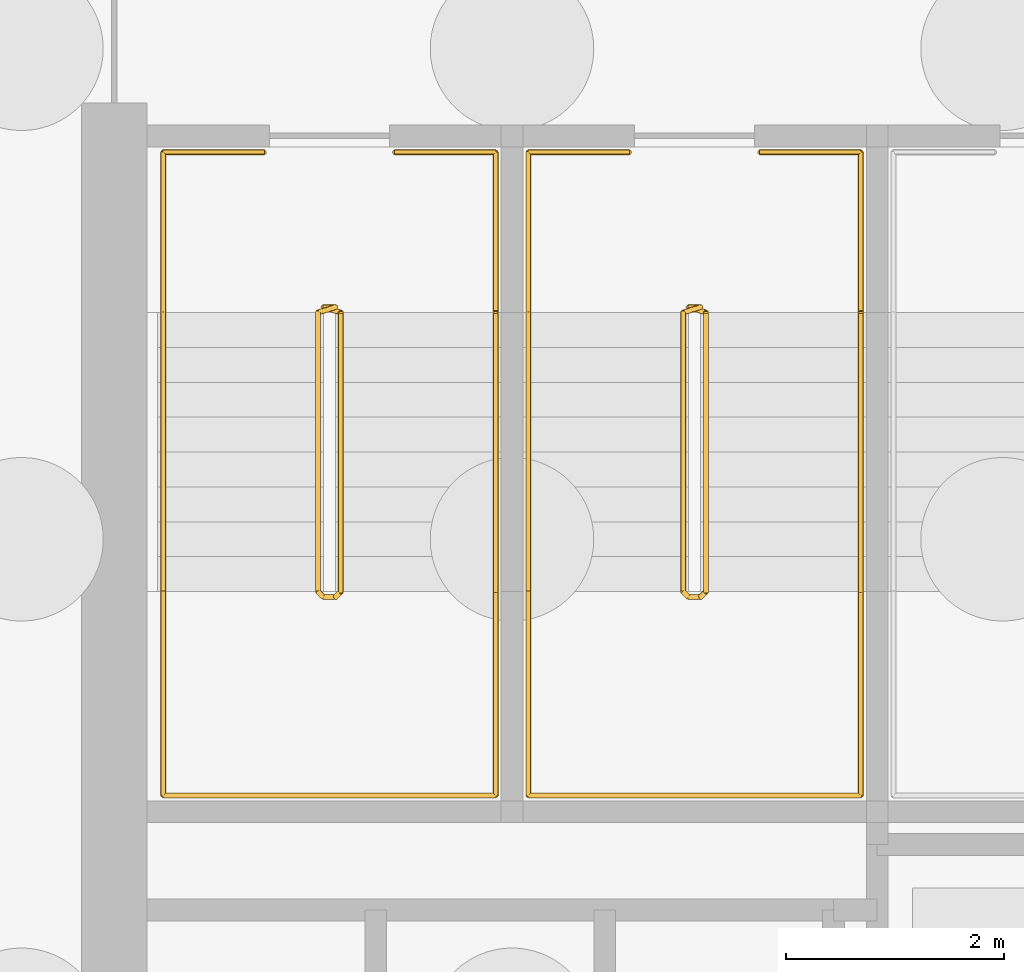
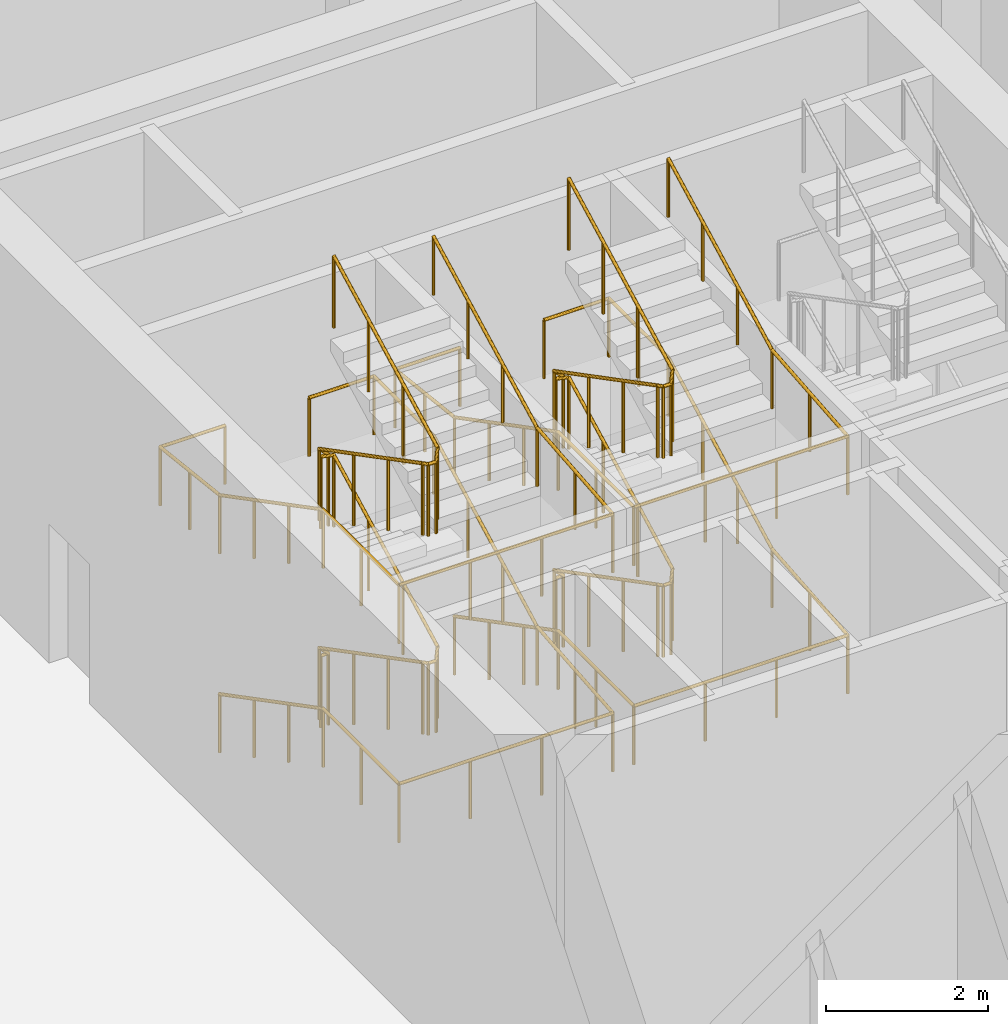
# One storey, part 24 of 26: 6 railings.
"""IFC4 building model written with IfcOpenShell, lengths in metres."""

from ifc_helpers import new_model, si_unit, direction, frame, origin, origin_2d, place, context, subcontext, project, spatial, circle, extrude, material, type_object, element, save


model = new_model("IFC4")

# Units and contexts
model_context = context("Model", 3, precision=1e-05, world=origin(), true_north=direction((0.0, 1.0)))
body_context = subcontext(model_context, "Body", "Model", "MODEL_VIEW")
ifc_project = project(units=[si_unit("LENGTHUNIT", "METRE"), si_unit("AREAUNIT", "SQUARE_METRE"), si_unit("VOLUMEUNIT", "CUBIC_METRE"), si_unit("PLANEANGLEUNIT", "RADIAN"), si_unit("MASSUNIT", "GRAM", prefix="KILO")], contexts=[model_context])

# Site, building, storey
site_placement = place(None, origin())
site = spatial("IfcSite", under=ifc_project, at=site_placement, CompositionType="ELEMENT")
building_placement = place(site_placement, origin())
building = spatial("IfcBuilding", under=site, at=building_placement, Name="Tessera Arch", CompositionType="ELEMENT")
storey_placement = place(building_placement, frame((0.0, 0.0, -6.0)))
storey = spatial("IfcBuildingStorey", under=building, at=storey_placement, Name="B1", CompositionType="ELEMENT", Elevation=-6.0)

# Railings
ifc_material_1 = material(Name="Painted steel balustrade", Category="steel")
railing_type_1 = type_object("IfcRailingType", Name="Stair guard 1100", PredefinedType="GUARDRAIL", material=ifc_material_1)
railing_1_placement = place(storey_placement, frame((38.219970703125, 43.6298828125, 0.0)))
element("IfcRailing", 1, at=railing_1_placement, inside=storey, type_object=railing_type_1, Name="B1 S1a stair guard 1", PredefinedType="GUARDRAIL", context=body_context, shape_type="SweptSolid", body=[
    extrude(circle(Radius=0.02392578125, at=origin_2d()), frame((-0.00390625, 0.0, 1.076171875), z_axis=(1.0, 0.0, 0.0), x_axis=(0.0, 1.0, 0.0)), (0.0, 0.0, 1.0), 0.1181640625),
    extrude(circle(Radius=0.02392578125, at=origin_2d()), frame((0.11279296875, 0.000732421875, 1.0732421875), z_axis=(-0.677174120815, -0.210584635131, 0.705045616641), x_axis=(0.296948579431, -0.954893471113, 0.0)), (0.0, 0.0, 1.0), 0.244384765625),
    extrude(circle(Radius=0.02392578125, at=origin_2d()), frame((-0.050048828125, -0.046142578125, 1.240966796875), z_axis=(0.0, -0.886929966286, 0.461903923888), x_axis=(1.0, 0.0, 0.0)), (0.0, 0.0, 1.0), 2.89453125),
    extrude(circle(Radius=0.02392578125, at=origin_2d()), frame((-0.052978515625, -2.60693359375, 2.576171875), z_axis=(0.707106781187, -0.707106781187, 0.0), x_axis=(0.707106781187, 0.707106781187, 0.0)), (0.0, 0.0, 1.0), 0.078857421875),
    extrude(circle(Radius=0.02392578125, at=origin_2d()), frame((-0.00390625, -2.659912109375, 2.576171875), z_axis=(1.0, 0.0, 0.0), x_axis=(0.0, 1.0, 0.0)), (0.0, 0.0, 1.0), 0.1181640625),
    extrude(circle(Radius=0.02392578125, at=origin_2d()), frame((0.10888671875, -2.6611328125, 2.572265625), z_axis=(0.275041040955, 0.276389281352, 0.920848191041), x_axis=(-0.708833529934, 0.705375805398, 0.0)), (0.0, 0.0, 1.0), 0.18896484375),
    extrude(circle(Radius=0.02392578125, at=origin_2d()), frame((0.159912109375, -2.613525390625, 2.740966796875), z_axis=(0.0, 0.886929966286, 0.461903923888), x_axis=(-1.0, 0.0, 0.0)), (0.0, 0.0, 1.0), 2.89453125),
    extrude(circle(Radius=0.02392578125, at=origin_2d()), frame((0.163818359375, -0.051025390625, 4.076171875), z_axis=(-0.954764847777, 0.297361876254, 0.0), x_axis=(-0.297361876254, -0.954764847777, 0.0)), (0.0, 0.0, 1.0), 0.175537109375),
    extrude(circle(Radius=0.02392578125, at=origin_2d()), frame((-0.00390625, 0.0, 4.076171875), z_axis=(1.0, 0.0, 0.0), x_axis=(0.0, 1.0, 0.0)), (0.0, 0.0, 1.0), 0.1181640625),
    extrude(circle(Radius=0.02392578125, at=origin_2d()), frame((0.11279296875, 0.000732421875, 4.0732421875), z_axis=(-0.677174120815, -0.210584635131, 0.705045616641), x_axis=(0.296948579431, -0.954893471113, 0.0)), (0.0, 0.0, 1.0), 0.244384765625),
    extrude(circle(Radius=0.02392578125, at=origin_2d()), frame((-0.050048828125, -0.046142578125, 4.240966796875), z_axis=(0.0, -0.886929966286, 0.461903923888), x_axis=(1.0, 0.0, 0.0)), (0.0, 0.0, 1.0), 2.89453125),
    extrude(circle(Radius=0.02392578125, at=origin_2d()), frame((-0.052978515625, -2.60693359375, 5.576171875), z_axis=(0.707106781187, -0.707106781187, 0.0), x_axis=(0.707106781187, 0.707106781187, 0.0)), (0.0, 0.0, 1.0), 0.078857421875),
    extrude(circle(Radius=0.02392578125, at=origin_2d()), frame((-0.00390625, -2.659912109375, 5.576171875), z_axis=(1.0, 0.0, 0.0), x_axis=(0.0, 1.0, 0.0)), (0.0, 0.0, 1.0), 0.1181640625),
    extrude(circle(Radius=0.02392578125, at=origin_2d()), frame((0.10888671875, -2.6611328125, 5.572265625), z_axis=(0.275041040955, 0.276389281352, 0.920848191041), x_axis=(-0.708833529934, 0.705375805398, 0.0)), (0.0, 0.0, 1.0), 0.18896484375),
    extrude(circle(Radius=0.02392578125, at=origin_2d()), frame((0.159912109375, -2.613525390625, 5.740966796875), z_axis=(0.0, 0.886929966286, 0.461903923888), x_axis=(-1.0, 0.0, 0.0)), (0.0, 0.0, 1.0), 2.89453125),
    extrude(circle(Radius=0.02099609375, at=origin_2d()), origin(), (0.0, 0.0, 1.0), 1.06396484375),
    extrude(circle(Radius=0.02099609375, at=origin_2d()), frame((0.110107421875, 0.0, 0.0)), (0.0, 0.0, 1.0), 1.06396484375),
    extrude(circle(Radius=0.02099609375, at=origin_2d()), frame((-0.050048828125, -0.0498046875, 0.166748046875)), (0.0, 0.0, 1.0), 1.06396484375),
    extrude(circle(Radius=0.02099609375, at=origin_2d()), frame((-0.050048828125, -0.903076171875, 0.611083984375)), (0.0, 0.0, 1.0), 1.06396484375),
    extrude(circle(Radius=0.02099609375, at=origin_2d()), frame((-0.050048828125, -1.756591796875, 1.0556640625)), (0.0, 0.0, 1.0), 1.06396484375),
    extrude(circle(Radius=0.02099609375, at=origin_2d()), frame((-0.050048828125, -2.60986328125, 1.5)), (0.0, 0.0, 1.0), 1.06396484375),
    extrude(circle(Radius=0.02099609375, at=origin_2d()), frame((0.0, -2.659912109375, 1.5)), (0.0, 0.0, 1.0), 1.06396484375),
    extrude(circle(Radius=0.02099609375, at=origin_2d()), frame((0.110107421875, -2.659912109375, 1.5)), (0.0, 0.0, 1.0), 1.06396484375),
    extrude(circle(Radius=0.02099609375, at=origin_2d()), frame((0.159912109375, -2.60986328125, 1.666748046875)), (0.0, 0.0, 1.0), 1.06396484375),
    extrude(circle(Radius=0.02099609375, at=origin_2d()), frame((0.159912109375, -1.756591796875, 2.111083984375)), (0.0, 0.0, 1.0), 1.06396484375),
    extrude(circle(Radius=0.02099609375, at=origin_2d()), frame((0.159912109375, -0.903076171875, 2.5556640625)), (0.0, 0.0, 1.0), 1.06396484375),
    extrude(circle(Radius=0.02099609375, at=origin_2d()), frame((0.159912109375, -0.0498046875, 3.0)), (0.0, 0.0, 1.0), 1.06396484375),
    extrude(circle(Radius=0.02099609375, at=origin_2d()), frame((0.0, 0.0, 3.0)), (0.0, 0.0, 1.0), 1.06396484375),
    extrude(circle(Radius=0.02099609375, at=origin_2d()), frame((0.110107421875, 0.0, 3.0)), (0.0, 0.0, 1.0), 1.06396484375),
    extrude(circle(Radius=0.02099609375, at=origin_2d()), frame((-0.050048828125, -0.0498046875, 3.166748046875)), (0.0, 0.0, 1.0), 1.06396484375),
    extrude(circle(Radius=0.02099609375, at=origin_2d()), frame((-0.050048828125, -0.903076171875, 3.611083984375)), (0.0, 0.0, 1.0), 1.06396484375),
    extrude(circle(Radius=0.02099609375, at=origin_2d()), frame((-0.050048828125, -1.756591796875, 4.0556640625)), (0.0, 0.0, 1.0), 1.06396484375),
    extrude(circle(Radius=0.02099609375, at=origin_2d()), frame((-0.050048828125, -2.60986328125, 4.5)), (0.0, 0.0, 1.0), 1.06396484375),
    extrude(circle(Radius=0.02099609375, at=origin_2d()), frame((0.0, -2.659912109375, 4.5)), (0.0, 0.0, 1.0), 1.06396484375),
    extrude(circle(Radius=0.02099609375, at=origin_2d()), frame((0.110107421875, -2.659912109375, 4.5)), (0.0, 0.0, 1.0), 1.06396484375),
    extrude(circle(Radius=0.02099609375, at=origin_2d()), frame((0.159912109375, -2.60986328125, 4.666748046875)), (0.0, 0.0, 1.0), 1.06396484375),
    extrude(circle(Radius=0.02099609375, at=origin_2d()), frame((0.159912109375, -1.756591796875, 5.111083984375)), (0.0, 0.0, 1.0), 1.06396484375),
    extrude(circle(Radius=0.02099609375, at=origin_2d()), frame((0.159912109375, -0.903076171875, 5.5556640625)), (0.0, 0.0, 1.0), 1.06396484375),
    extrude(circle(Radius=0.02099609375, at=origin_2d()), frame((0.159912109375, -0.0498046875, 6.0)), (0.0, 0.0, 1.0), 1.06396484375),
])
railing_2_placement = place(storey_placement, frame((41.570068359375, 43.6298828125, 0.0)))
element("IfcRailing", 2, at=railing_2_placement, inside=storey, type_object=railing_type_1, Name="B1 S1b stair guard 1", PredefinedType="GUARDRAIL", context=body_context, shape_type="SweptSolid", body=[
    extrude(circle(Radius=0.02392578125, at=origin_2d()), frame((-0.00390625, 0.0, 1.076171875), z_axis=(1.0, 0.0, 0.0), x_axis=(0.0, 1.0, 0.0)), (0.0, 0.0, 1.0), 0.117919921875),
    extrude(circle(Radius=0.02392578125, at=origin_2d()), frame((0.112548828125, 0.000732421875, 1.0732421875), z_axis=(-0.676614622933, -0.210731882562, 0.705538606814), x_axis=(0.297361876254, -0.954764847777, 0.0)), (0.0, 0.0, 1.0), 0.244384765625),
    extrude(circle(Radius=0.02392578125, at=origin_2d()), frame((-0.050048828125, -0.046142578125, 1.240966796875), z_axis=(0.0, -0.886929966286, 0.461903923888), x_axis=(1.0, 0.0, 0.0)), (0.0, 0.0, 1.0), 2.89453125),
    extrude(circle(Radius=0.02392578125, at=origin_2d()), frame((-0.052978515625, -2.60693359375, 2.576171875), z_axis=(0.707106781187, -0.707106781187, 0.0), x_axis=(0.707106781187, 0.707106781187, 0.0)), (0.0, 0.0, 1.0), 0.078857421875),
    extrude(circle(Radius=0.02392578125, at=origin_2d()), frame((-0.00390625, -2.659912109375, 2.576171875), z_axis=(1.0, 0.0, 0.0), x_axis=(0.0, 1.0, 0.0)), (0.0, 0.0, 1.0), 0.117919921875),
    extrude(circle(Radius=0.02392578125, at=origin_2d()), frame((0.108642578125, -2.6611328125, 2.572265625), z_axis=(0.27628659633, 0.27628659633, 0.920506074601), x_axis=(-0.707106781187, 0.707106781187, 0.0)), (0.0, 0.0, 1.0), 0.189208984375),
    extrude(circle(Radius=0.02392578125, at=origin_2d()), frame((0.159912109375, -2.613525390625, 2.740966796875), z_axis=(0.0, 0.886929966286, 0.461903923888), x_axis=(-1.0, 0.0, 0.0)), (0.0, 0.0, 1.0), 2.89453125),
    extrude(circle(Radius=0.02392578125, at=origin_2d()), frame((0.163818359375, -0.051025390625, 4.076171875), z_axis=(-0.954764847777, 0.297361876254, 0.0), x_axis=(-0.297361876254, -0.954764847777, 0.0)), (0.0, 0.0, 1.0), 0.175537109375),
    extrude(circle(Radius=0.02392578125, at=origin_2d()), frame((-0.00390625, 0.0, 4.076171875), z_axis=(1.0, 0.0, 0.0), x_axis=(0.0, 1.0, 0.0)), (0.0, 0.0, 1.0), 0.117919921875),
    extrude(circle(Radius=0.02392578125, at=origin_2d()), frame((0.112548828125, 0.000732421875, 4.0732421875), z_axis=(-0.676614622933, -0.210731882562, 0.705538606814), x_axis=(0.297361876254, -0.954764847777, 0.0)), (0.0, 0.0, 1.0), 0.244384765625),
    extrude(circle(Radius=0.02392578125, at=origin_2d()), frame((-0.050048828125, -0.046142578125, 4.240966796875), z_axis=(0.0, -0.886929966286, 0.461903923888), x_axis=(1.0, 0.0, 0.0)), (0.0, 0.0, 1.0), 2.89453125),
    extrude(circle(Radius=0.02392578125, at=origin_2d()), frame((-0.052978515625, -2.60693359375, 5.576171875), z_axis=(0.707106781187, -0.707106781187, 0.0), x_axis=(0.707106781187, 0.707106781187, 0.0)), (0.0, 0.0, 1.0), 0.078857421875),
    extrude(circle(Radius=0.02392578125, at=origin_2d()), frame((-0.00390625, -2.659912109375, 5.576171875), z_axis=(1.0, 0.0, 0.0), x_axis=(0.0, 1.0, 0.0)), (0.0, 0.0, 1.0), 0.117919921875),
    extrude(circle(Radius=0.02392578125, at=origin_2d()), frame((0.108642578125, -2.6611328125, 5.572265625), z_axis=(0.27628659633, 0.27628659633, 0.920506074601), x_axis=(-0.707106781187, 0.707106781187, 0.0)), (0.0, 0.0, 1.0), 0.189208984375),
    extrude(circle(Radius=0.02392578125, at=origin_2d()), frame((0.159912109375, -2.613525390625, 5.740966796875), z_axis=(0.0, 0.886929966286, 0.461903923888), x_axis=(-1.0, 0.0, 0.0)), (0.0, 0.0, 1.0), 2.89453125),
    extrude(circle(Radius=0.02099609375, at=origin_2d()), origin(), (0.0, 0.0, 1.0), 1.06396484375),
    extrude(circle(Radius=0.02099609375, at=origin_2d()), frame((0.10986328125, 0.0, 0.0)), (0.0, 0.0, 1.0), 1.06396484375),
    extrude(circle(Radius=0.02099609375, at=origin_2d()), frame((-0.050048828125, -0.0498046875, 0.166748046875)), (0.0, 0.0, 1.0), 1.06396484375),
    extrude(circle(Radius=0.02099609375, at=origin_2d()), frame((-0.050048828125, -0.903076171875, 0.611083984375)), (0.0, 0.0, 1.0), 1.06396484375),
    extrude(circle(Radius=0.02099609375, at=origin_2d()), frame((-0.050048828125, -1.756591796875, 1.0556640625)), (0.0, 0.0, 1.0), 1.06396484375),
    extrude(circle(Radius=0.02099609375, at=origin_2d()), frame((-0.050048828125, -2.60986328125, 1.5)), (0.0, 0.0, 1.0), 1.06396484375),
    extrude(circle(Radius=0.02099609375, at=origin_2d()), frame((0.0, -2.659912109375, 1.5)), (0.0, 0.0, 1.0), 1.06396484375),
    extrude(circle(Radius=0.02099609375, at=origin_2d()), frame((0.10986328125, -2.659912109375, 1.5)), (0.0, 0.0, 1.0), 1.06396484375),
    extrude(circle(Radius=0.02099609375, at=origin_2d()), frame((0.159912109375, -2.60986328125, 1.666748046875)), (0.0, 0.0, 1.0), 1.06396484375),
    extrude(circle(Radius=0.02099609375, at=origin_2d()), frame((0.159912109375, -1.756591796875, 2.111083984375)), (0.0, 0.0, 1.0), 1.06396484375),
    extrude(circle(Radius=0.02099609375, at=origin_2d()), frame((0.159912109375, -0.903076171875, 2.5556640625)), (0.0, 0.0, 1.0), 1.06396484375),
    extrude(circle(Radius=0.02099609375, at=origin_2d()), frame((0.159912109375, -0.0498046875, 3.0)), (0.0, 0.0, 1.0), 1.06396484375),
    extrude(circle(Radius=0.02099609375, at=origin_2d()), frame((0.0, 0.0, 3.0)), (0.0, 0.0, 1.0), 1.06396484375),
    extrude(circle(Radius=0.02099609375, at=origin_2d()), frame((0.10986328125, 0.0, 3.0)), (0.0, 0.0, 1.0), 1.06396484375),
    extrude(circle(Radius=0.02099609375, at=origin_2d()), frame((-0.050048828125, -0.0498046875, 3.166748046875)), (0.0, 0.0, 1.0), 1.06396484375),
    extrude(circle(Radius=0.02099609375, at=origin_2d()), frame((-0.050048828125, -0.903076171875, 3.611083984375)), (0.0, 0.0, 1.0), 1.06396484375),
    extrude(circle(Radius=0.02099609375, at=origin_2d()), frame((-0.050048828125, -1.756591796875, 4.0556640625)), (0.0, 0.0, 1.0), 1.06396484375),
    extrude(circle(Radius=0.02099609375, at=origin_2d()), frame((-0.050048828125, -2.60986328125, 4.5)), (0.0, 0.0, 1.0), 1.06396484375),
    extrude(circle(Radius=0.02099609375, at=origin_2d()), frame((0.0, -2.659912109375, 4.5)), (0.0, 0.0, 1.0), 1.06396484375),
    extrude(circle(Radius=0.02099609375, at=origin_2d()), frame((0.10986328125, -2.659912109375, 4.5)), (0.0, 0.0, 1.0), 1.06396484375),
    extrude(circle(Radius=0.02099609375, at=origin_2d()), frame((0.159912109375, -2.60986328125, 4.666748046875)), (0.0, 0.0, 1.0), 1.06396484375),
    extrude(circle(Radius=0.02099609375, at=origin_2d()), frame((0.159912109375, -1.756591796875, 5.111083984375)), (0.0, 0.0, 1.0), 1.06396484375),
    extrude(circle(Radius=0.02099609375, at=origin_2d()), frame((0.159912109375, -0.903076171875, 5.5556640625)), (0.0, 0.0, 1.0), 1.06396484375),
    extrude(circle(Radius=0.02099609375, at=origin_2d()), frame((0.159912109375, -0.0498046875, 6.0)), (0.0, 0.0, 1.0), 1.06396484375),
])
ifc_material_2 = material(Name="Painted steel handrail", Category="steel")
railing_type_2 = type_object("IfcRailingType", Name="Stair handrail 900", PredefinedType="HANDRAIL", material=ifc_material_2)
railing_3_placement = place(storey_placement, frame((36.75, 43.580078125, 0.166748046875)))
element("IfcRailing", 3, at=railing_3_placement, inside=storey, type_object=railing_type_2, Name="B1 S1a stair handrail", PredefinedType="HANDRAIL", context=body_context, shape_type="SweptSolid", body=[
    extrude(circle(Radius=0.02392578125, at=origin_2d()), frame((0.0, 0.003662109375, 0.8740234375), z_axis=(0.0, -0.886929966286, 0.461903923888), x_axis=(1.0, 0.0, 0.0)), (0.0, 0.0, 1.0), 2.89453125),
    extrude(circle(Radius=0.02392578125, at=origin_2d()), frame((0.0, -2.55615234375, 2.208984375), z_axis=(0.0, -1.0, 0.0), x_axis=(1.0, 0.0, 0.0)), (0.0, 0.0, 1.0), 1.878173828125),
    extrude(circle(Radius=0.02392578125, at=origin_2d()), frame((-0.00390625, -4.43017578125, 2.208984375), z_axis=(1.0, 0.0, 0.0), x_axis=(0.0, 1.0, 0.0)), (0.0, 0.0, 1.0), 3.05810546875),
    extrude(circle(Radius=0.02392578125, at=origin_2d()), frame((3.050048828125, -4.43408203125, 2.208740234375), z_axis=(0.0, 0.996048393597, 0.088812147889), x_axis=(-1.0, 0.0, 0.0)), (0.0, 0.0, 1.0), 1.885498046875),
    extrude(circle(Radius=0.02392578125, at=origin_2d()), frame((3.050048828125, -2.563720703125, 2.3740234375), z_axis=(0.0, 0.886929966286, 0.461903923888), x_axis=(-1.0, 0.0, 0.0)), (0.0, 0.0, 1.0), 2.89453125),
    extrude(circle(Radius=0.02392578125, at=origin_2d()), frame((3.050048828125, -0.00390625, 3.708984375), z_axis=(0.0, 1.0, 0.0), x_axis=(-1.0, 0.0, 0.0)), (0.0, 0.0, 1.0), 1.47802734375),
    extrude(circle(Radius=0.02392578125, at=origin_2d()), frame((3.053955078125, 1.469970703125, 3.708984375), z_axis=(-1.0, 0.0, 0.0), x_axis=(0.0, -1.0, 0.0)), (0.0, 0.0, 1.0), 0.93310546875),
    extrude(circle(Radius=0.02099609375, at=origin_2d()), origin(), (0.0, 0.0, 1.0), 0.86376953125),
    extrude(circle(Radius=0.02099609375, at=origin_2d()), frame((0.0, -0.853271484375, 0.4443359375)), (0.0, 0.0, 1.0), 0.86376953125),
    extrude(circle(Radius=0.02099609375, at=origin_2d()), frame((0.0, -1.706787109375, 0.888916015625)), (0.0, 0.0, 1.0), 0.86376953125),
    extrude(circle(Radius=0.02099609375, at=origin_2d()), frame((0.0, -2.56005859375, 1.333251953125)), (0.0, 0.0, 1.0), 0.86376953125),
    extrude(circle(Radius=0.02099609375, at=origin_2d()), frame((0.0, -3.4951171875, 1.333251953125)), (0.0, 0.0, 1.0), 0.86376953125),
    extrude(circle(Radius=0.02099609375, at=origin_2d()), frame((0.0, -4.43017578125, 1.333251953125)), (0.0, 0.0, 1.0), 0.86376953125),
    extrude(circle(Radius=0.02099609375, at=origin_2d()), frame((1.0166015625, -4.43017578125, 1.333251953125)), (0.0, 0.0, 1.0), 0.86376953125),
    extrude(circle(Radius=0.02099609375, at=origin_2d()), frame((2.033447265625, -4.43017578125, 1.333251953125)), (0.0, 0.0, 1.0), 0.86376953125),
    extrude(circle(Radius=0.02099609375, at=origin_2d()), frame((3.050048828125, -4.43017578125, 1.333251953125)), (0.0, 0.0, 1.0), 0.86376953125),
    extrude(circle(Radius=0.02099609375, at=origin_2d()), frame((3.050048828125, -3.4951171875, 1.41650390625)), (0.0, 0.0, 1.0), 0.86376953125),
    extrude(circle(Radius=0.02099609375, at=origin_2d()), frame((3.050048828125, -2.56005859375, 1.5)), (0.0, 0.0, 1.0), 0.86376953125),
    extrude(circle(Radius=0.02099609375, at=origin_2d()), frame((3.050048828125, -1.706787109375, 1.9443359375)), (0.0, 0.0, 1.0), 0.86376953125),
    extrude(circle(Radius=0.02099609375, at=origin_2d()), frame((3.050048828125, -0.853271484375, 2.388916015625)), (0.0, 0.0, 1.0), 0.86376953125),
    extrude(circle(Radius=0.02099609375, at=origin_2d()), frame((3.050048828125, 0.0, 2.833251953125)), (0.0, 0.0, 1.0), 0.86376953125),
    extrude(circle(Radius=0.02099609375, at=origin_2d()), frame((3.050048828125, 0.73486328125, 2.833251953125)), (0.0, 0.0, 1.0), 0.86376953125),
    extrude(circle(Radius=0.02099609375, at=origin_2d()), frame((3.050048828125, 1.469970703125, 2.833251953125)), (0.0, 0.0, 1.0), 0.86376953125),
    extrude(circle(Radius=0.02099609375, at=origin_2d()), frame((2.125, 1.469970703125, 2.833251953125)), (0.0, 0.0, 1.0), 0.86376953125),
])
railing_4_placement = place(storey_placement, frame((37.675048828125, 45.050048828125, 3.0)))
element("IfcRailing", 4, at=railing_4_placement, inside=storey, type_object=railing_type_2, Name="B1 S1a stair handrail 2", PredefinedType="HANDRAIL", context=body_context, shape_type="SweptSolid", body=[
    extrude(circle(Radius=0.02392578125, at=origin_2d()), frame((0.00390625, 0.0, 0.8759765625), z_axis=(-1.0, 0.0, 0.0), x_axis=(0.0, -1.0, 0.0)), (0.0, 0.0, 1.0), 0.93310546875),
    extrude(circle(Radius=0.02392578125, at=origin_2d()), frame((-0.925048828125, 0.00390625, 0.87548828125), z_axis=(0.0, -0.993627536354, 0.112713437524), x_axis=(1.0, 0.0, 0.0)), (0.0, 0.0, 1.0), 1.4873046875),
    extrude(circle(Radius=0.02392578125, at=origin_2d()), frame((-0.925048828125, -1.46630859375, 1.040771484375), z_axis=(0.0, -0.886929966286, 0.461903923888), x_axis=(1.0, 0.0, 0.0)), (0.0, 0.0, 1.0), 2.89453125),
    extrude(circle(Radius=0.02392578125, at=origin_2d()), frame((-0.925048828125, -4.026123046875, 2.3759765625), z_axis=(0.0, -1.0, 0.0), x_axis=(1.0, 0.0, 0.0)), (0.0, 0.0, 1.0), 1.878173828125),
    extrude(circle(Radius=0.02392578125, at=origin_2d()), frame((-0.928955078125, -5.900146484375, 2.3759765625), z_axis=(1.0, 0.0, 0.0), x_axis=(0.0, 1.0, 0.0)), (0.0, 0.0, 1.0), 3.05810546875),
    extrude(circle(Radius=0.02392578125, at=origin_2d()), frame((2.125, -5.904052734375, 2.37548828125), z_axis=(0.0, 0.996048393597, 0.088812147889), x_axis=(-1.0, 0.0, 0.0)), (0.0, 0.0, 1.0), 1.885498046875),
    extrude(circle(Radius=0.02392578125, at=origin_2d()), frame((2.125, -4.03369140625, 2.540771484375), z_axis=(0.0, 0.886929966286, 0.461903923888), x_axis=(-1.0, 0.0, 0.0)), (0.0, 0.0, 1.0), 2.89453125),
    extrude(circle(Radius=0.02099609375, at=origin_2d()), origin(), (0.0, 0.0, 1.0), 0.86376953125),
    extrude(circle(Radius=0.02099609375, at=origin_2d()), frame((-0.925048828125, 0.0, 0.0)), (0.0, 0.0, 1.0), 0.86376953125),
    extrude(circle(Radius=0.02099609375, at=origin_2d()), frame((-0.925048828125, -0.73486328125, 0.08349609375)), (0.0, 0.0, 1.0), 0.86376953125),
    extrude(circle(Radius=0.02099609375, at=origin_2d()), frame((-0.925048828125, -1.469970703125, 0.166748046875)), (0.0, 0.0, 1.0), 0.86376953125),
    extrude(circle(Radius=0.02099609375, at=origin_2d()), frame((-0.925048828125, -2.3232421875, 0.611083984375)), (0.0, 0.0, 1.0), 0.86376953125),
    extrude(circle(Radius=0.02099609375, at=origin_2d()), frame((-0.925048828125, -3.1767578125, 1.0556640625)), (0.0, 0.0, 1.0), 0.86376953125),
    extrude(circle(Radius=0.02099609375, at=origin_2d()), frame((-0.925048828125, -4.030029296875, 1.5)), (0.0, 0.0, 1.0), 0.86376953125),
    extrude(circle(Radius=0.02099609375, at=origin_2d()), frame((-0.925048828125, -4.965087890625, 1.5)), (0.0, 0.0, 1.0), 0.86376953125),
    extrude(circle(Radius=0.02099609375, at=origin_2d()), frame((-0.925048828125, -5.900146484375, 1.5)), (0.0, 0.0, 1.0), 0.86376953125),
    extrude(circle(Radius=0.02099609375, at=origin_2d()), frame((0.091552734375, -5.900146484375, 1.5)), (0.0, 0.0, 1.0), 0.86376953125),
    extrude(circle(Radius=0.02099609375, at=origin_2d()), frame((1.1083984375, -5.900146484375, 1.5)), (0.0, 0.0, 1.0), 0.86376953125),
    extrude(circle(Radius=0.02099609375, at=origin_2d()), frame((2.125, -5.900146484375, 1.5)), (0.0, 0.0, 1.0), 0.86376953125),
    extrude(circle(Radius=0.02099609375, at=origin_2d()), frame((2.125, -4.965087890625, 1.58349609375)), (0.0, 0.0, 1.0), 0.86376953125),
    extrude(circle(Radius=0.02099609375, at=origin_2d()), frame((2.125, -4.030029296875, 1.666748046875)), (0.0, 0.0, 1.0), 0.86376953125),
    extrude(circle(Radius=0.02099609375, at=origin_2d()), frame((2.125, -3.1767578125, 2.111083984375)), (0.0, 0.0, 1.0), 0.86376953125),
    extrude(circle(Radius=0.02099609375, at=origin_2d()), frame((2.125, -2.3232421875, 2.5556640625)), (0.0, 0.0, 1.0), 0.86376953125),
    extrude(circle(Radius=0.02099609375, at=origin_2d()), frame((2.125, -1.469970703125, 3.0)), (0.0, 0.0, 1.0), 0.86376953125),
])
railing_5_placement = place(storey_placement, frame((40.10009765625, 43.580078125, 0.166748046875)))
element("IfcRailing", 5, at=railing_5_placement, inside=storey, type_object=railing_type_2, Name="B1 S1b stair handrail", PredefinedType="HANDRAIL", context=body_context, shape_type="SweptSolid", body=[
    extrude(circle(Radius=0.02392578125, at=origin_2d()), frame((0.0, 0.003662109375, 0.8740234375), z_axis=(0.0, -0.886929966286, 0.461903923888), x_axis=(1.0, 0.0, 0.0)), (0.0, 0.0, 1.0), 2.89453125),
    extrude(circle(Radius=0.02392578125, at=origin_2d()), frame((0.0, -2.55615234375, 2.208984375), z_axis=(0.0, -1.0, 0.0), x_axis=(1.0, 0.0, 0.0)), (0.0, 0.0, 1.0), 1.878173828125),
    extrude(circle(Radius=0.02392578125, at=origin_2d()), frame((-0.00390625, -4.43017578125, 2.208984375), z_axis=(1.0, 0.0, 0.0), x_axis=(0.0, 1.0, 0.0)), (0.0, 0.0, 1.0), 3.057861328125),
    extrude(circle(Radius=0.02392578125, at=origin_2d()), frame((3.0498046875, -4.43408203125, 2.208740234375), z_axis=(0.0, 0.996048393597, 0.088812147889), x_axis=(-1.0, 0.0, 0.0)), (0.0, 0.0, 1.0), 1.885498046875),
    extrude(circle(Radius=0.02392578125, at=origin_2d()), frame((3.0498046875, -2.563720703125, 2.3740234375), z_axis=(0.0, 0.886929966286, 0.461903923888), x_axis=(-1.0, 0.0, 0.0)), (0.0, 0.0, 1.0), 2.89453125),
    extrude(circle(Radius=0.02392578125, at=origin_2d()), frame((3.0498046875, -0.00390625, 3.708984375), z_axis=(0.0, 1.0, 0.0), x_axis=(-1.0, 0.0, 0.0)), (0.0, 0.0, 1.0), 1.47802734375),
    extrude(circle(Radius=0.02392578125, at=origin_2d()), frame((3.0537109375, 1.469970703125, 3.708984375), z_axis=(-1.0, 0.0, 0.0), x_axis=(0.0, -1.0, 0.0)), (0.0, 0.0, 1.0), 0.932861328125),
    extrude(circle(Radius=0.02099609375, at=origin_2d()), origin(), (0.0, 0.0, 1.0), 0.86376953125),
    extrude(circle(Radius=0.02099609375, at=origin_2d()), frame((0.0, -0.853271484375, 0.4443359375)), (0.0, 0.0, 1.0), 0.86376953125),
    extrude(circle(Radius=0.02099609375, at=origin_2d()), frame((0.0, -1.706787109375, 0.888916015625)), (0.0, 0.0, 1.0), 0.86376953125),
    extrude(circle(Radius=0.02099609375, at=origin_2d()), frame((0.0, -2.56005859375, 1.333251953125)), (0.0, 0.0, 1.0), 0.86376953125),
    extrude(circle(Radius=0.02099609375, at=origin_2d()), frame((0.0, -3.4951171875, 1.333251953125)), (0.0, 0.0, 1.0), 0.86376953125),
    extrude(circle(Radius=0.02099609375, at=origin_2d()), frame((0.0, -4.43017578125, 1.333251953125)), (0.0, 0.0, 1.0), 0.86376953125),
    extrude(circle(Radius=0.02099609375, at=origin_2d()), frame((1.0166015625, -4.43017578125, 1.333251953125)), (0.0, 0.0, 1.0), 0.86376953125),
    extrude(circle(Radius=0.02099609375, at=origin_2d()), frame((2.033203125, -4.43017578125, 1.333251953125)), (0.0, 0.0, 1.0), 0.86376953125),
    extrude(circle(Radius=0.02099609375, at=origin_2d()), frame((3.0498046875, -4.43017578125, 1.333251953125)), (0.0, 0.0, 1.0), 0.86376953125),
    extrude(circle(Radius=0.02099609375, at=origin_2d()), frame((3.0498046875, -3.4951171875, 1.41650390625)), (0.0, 0.0, 1.0), 0.86376953125),
    extrude(circle(Radius=0.02099609375, at=origin_2d()), frame((3.0498046875, -2.56005859375, 1.5)), (0.0, 0.0, 1.0), 0.86376953125),
    extrude(circle(Radius=0.02099609375, at=origin_2d()), frame((3.0498046875, -1.706787109375, 1.9443359375)), (0.0, 0.0, 1.0), 0.86376953125),
    extrude(circle(Radius=0.02099609375, at=origin_2d()), frame((3.0498046875, -0.853271484375, 2.388916015625)), (0.0, 0.0, 1.0), 0.86376953125),
    extrude(circle(Radius=0.02099609375, at=origin_2d()), frame((3.0498046875, 0.0, 2.833251953125)), (0.0, 0.0, 1.0), 0.86376953125),
    extrude(circle(Radius=0.02099609375, at=origin_2d()), frame((3.0498046875, 0.73486328125, 2.833251953125)), (0.0, 0.0, 1.0), 0.86376953125),
    extrude(circle(Radius=0.02099609375, at=origin_2d()), frame((3.0498046875, 1.469970703125, 2.833251953125)), (0.0, 0.0, 1.0), 0.86376953125),
    extrude(circle(Radius=0.02099609375, at=origin_2d()), frame((2.125, 1.469970703125, 2.833251953125)), (0.0, 0.0, 1.0), 0.86376953125),
])
railing_6_placement = place(storey_placement, frame((41.02490234375, 45.050048828125, 3.0)))
element("IfcRailing", 6, at=railing_6_placement, inside=storey, type_object=railing_type_2, Name="B1 S1b stair handrail 2", PredefinedType="HANDRAIL", context=body_context, shape_type="SweptSolid", body=[
    extrude(circle(Radius=0.02392578125, at=origin_2d()), frame((0.00390625, 0.0, 0.8759765625), z_axis=(-1.0, 0.0, 0.0), x_axis=(0.0, -1.0, 0.0)), (0.0, 0.0, 1.0), 0.932861328125),
    extrude(circle(Radius=0.02392578125, at=origin_2d()), frame((-0.9248046875, 0.00390625, 0.87548828125), z_axis=(0.0, -0.993627536354, 0.112713437524), x_axis=(1.0, 0.0, 0.0)), (0.0, 0.0, 1.0), 1.4873046875),
    extrude(circle(Radius=0.02392578125, at=origin_2d()), frame((-0.9248046875, -1.46630859375, 1.040771484375), z_axis=(0.0, -0.886929966286, 0.461903923888), x_axis=(1.0, 0.0, 0.0)), (0.0, 0.0, 1.0), 2.89453125),
    extrude(circle(Radius=0.02392578125, at=origin_2d()), frame((-0.9248046875, -4.026123046875, 2.3759765625), z_axis=(0.0, -1.0, 0.0), x_axis=(1.0, 0.0, 0.0)), (0.0, 0.0, 1.0), 1.878173828125),
    extrude(circle(Radius=0.02392578125, at=origin_2d()), frame((-0.9287109375, -5.900146484375, 2.3759765625), z_axis=(1.0, 0.0, 0.0), x_axis=(0.0, 1.0, 0.0)), (0.0, 0.0, 1.0), 3.057861328125),
    extrude(circle(Radius=0.02392578125, at=origin_2d()), frame((2.125, -5.904052734375, 2.37548828125), z_axis=(0.0, 0.996048393597, 0.088812147889), x_axis=(-1.0, 0.0, 0.0)), (0.0, 0.0, 1.0), 1.885498046875),
    extrude(circle(Radius=0.02392578125, at=origin_2d()), frame((2.125, -4.03369140625, 2.540771484375), z_axis=(0.0, 0.886929966286, 0.461903923888), x_axis=(-1.0, 0.0, 0.0)), (0.0, 0.0, 1.0), 2.89453125),
    extrude(circle(Radius=0.02099609375, at=origin_2d()), origin(), (0.0, 0.0, 1.0), 0.86376953125),
    extrude(circle(Radius=0.02099609375, at=origin_2d()), frame((-0.9248046875, 0.0, 0.0)), (0.0, 0.0, 1.0), 0.86376953125),
    extrude(circle(Radius=0.02099609375, at=origin_2d()), frame((-0.9248046875, -0.73486328125, 0.08349609375)), (0.0, 0.0, 1.0), 0.86376953125),
    extrude(circle(Radius=0.02099609375, at=origin_2d()), frame((-0.9248046875, -1.469970703125, 0.166748046875)), (0.0, 0.0, 1.0), 0.86376953125),
    extrude(circle(Radius=0.02099609375, at=origin_2d()), frame((-0.9248046875, -2.3232421875, 0.611083984375)), (0.0, 0.0, 1.0), 0.86376953125),
    extrude(circle(Radius=0.02099609375, at=origin_2d()), frame((-0.9248046875, -3.1767578125, 1.0556640625)), (0.0, 0.0, 1.0), 0.86376953125),
    extrude(circle(Radius=0.02099609375, at=origin_2d()), frame((-0.9248046875, -4.030029296875, 1.5)), (0.0, 0.0, 1.0), 0.86376953125),
    extrude(circle(Radius=0.02099609375, at=origin_2d()), frame((-0.9248046875, -4.965087890625, 1.5)), (0.0, 0.0, 1.0), 0.86376953125),
    extrude(circle(Radius=0.02099609375, at=origin_2d()), frame((-0.9248046875, -5.900146484375, 1.5)), (0.0, 0.0, 1.0), 0.86376953125),
    extrude(circle(Radius=0.02099609375, at=origin_2d()), frame((0.091796875, -5.900146484375, 1.5)), (0.0, 0.0, 1.0), 0.86376953125),
    extrude(circle(Radius=0.02099609375, at=origin_2d()), frame((1.1083984375, -5.900146484375, 1.5)), (0.0, 0.0, 1.0), 0.86376953125),
    extrude(circle(Radius=0.02099609375, at=origin_2d()), frame((2.125, -5.900146484375, 1.5)), (0.0, 0.0, 1.0), 0.86376953125),
    extrude(circle(Radius=0.02099609375, at=origin_2d()), frame((2.125, -4.965087890625, 1.58349609375)), (0.0, 0.0, 1.0), 0.86376953125),
    extrude(circle(Radius=0.02099609375, at=origin_2d()), frame((2.125, -4.030029296875, 1.666748046875)), (0.0, 0.0, 1.0), 0.86376953125),
    extrude(circle(Radius=0.02099609375, at=origin_2d()), frame((2.125, -3.1767578125, 2.111083984375)), (0.0, 0.0, 1.0), 0.86376953125),
    extrude(circle(Radius=0.02099609375, at=origin_2d()), frame((2.125, -2.3232421875, 2.5556640625)), (0.0, 0.0, 1.0), 0.86376953125),
    extrude(circle(Radius=0.02099609375, at=origin_2d()), frame((2.125, -1.469970703125, 3.0)), (0.0, 0.0, 1.0), 0.86376953125),
])

save(model, "model.ifc")
